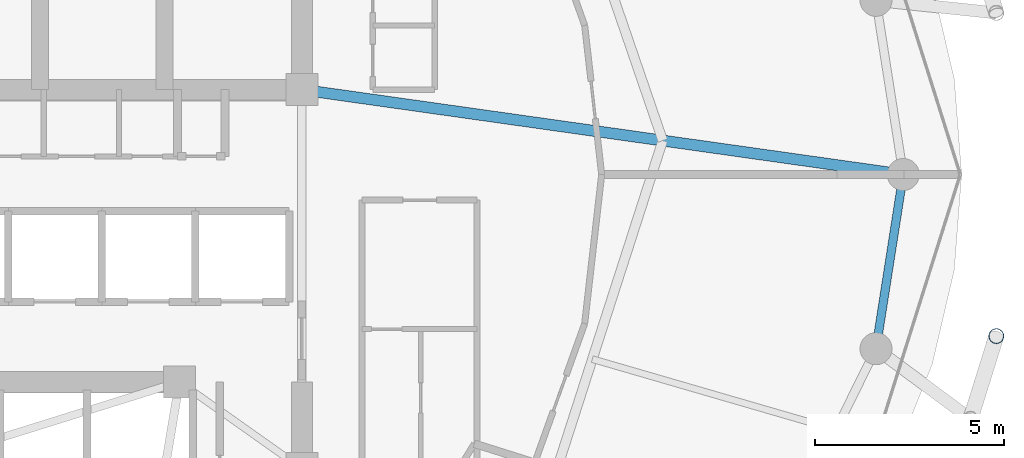
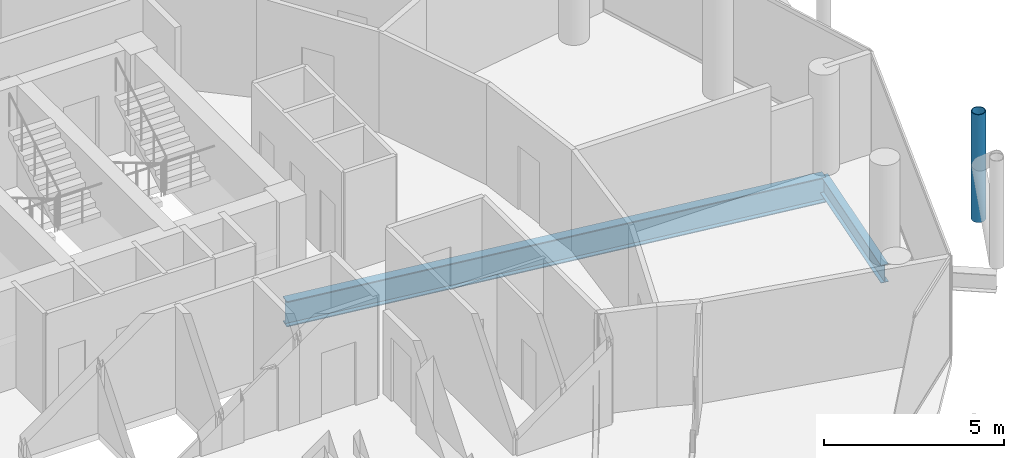
# One storey, part 14 of 27: 2 beams, 1 member.
"""IFC4 building model written with IfcOpenShell, lengths in metres."""

from ifc_helpers import new_model, si_unit, direction, frame, origin, origin_2d, place, context, subcontext, project, spatial, hollow_circle, i_section, extrude, material, material_profile, profile_set, type_object, element, save


model = new_model("IFC4")

# Units and contexts
model_context = context("Model", 3, precision=1e-05, world=origin(), true_north=direction((0.0, 1.0)))
body_context = subcontext(model_context, "Body", "Model", "MODEL_VIEW")
ifc_project = project(units=[si_unit("LENGTHUNIT", "METRE"), si_unit("AREAUNIT", "SQUARE_METRE"), si_unit("VOLUMEUNIT", "CUBIC_METRE"), si_unit("PLANEANGLEUNIT", "RADIAN"), si_unit("MASSUNIT", "GRAM", prefix="KILO")], contexts=[model_context])

# Site, building, storey
site_placement = place(None, origin())
site = spatial("IfcSite", under=ifc_project, at=site_placement, CompositionType="ELEMENT")
building_placement = place(site_placement, origin())
building = spatial("IfcBuilding", under=site, at=building_placement, Name="Nuhasar Tower", CompositionType="ELEMENT")
storey_placement = place(building_placement, frame((0.0, 0.0, 237.35009765625)))
storey = spatial("IfcBuildingStorey", under=building, at=storey_placement, Name="L58", CompositionType="ELEMENT", Elevation=237.35009765625)

# Beams
ifc_material_1 = material(Name="Steel S355", Category="steel")
ifc_material_profile_1 = material_profile(ifc_material_1, i_section(OverallWidth=0.2919921875, OverallDepth=0.85888671875, WebThickness=0.01708984375, FlangeThickness=0.031005859375, at=origin_2d()), Name="W33X169")
ifc_profile_set_1 = profile_set([ifc_material_profile_1], Name="Steel S355")
beam_type_1 = type_object("IfcBeamType", Name="BM-POD-W33X169", PredefinedType="BEAM", material=ifc_profile_set_1)
beam_1_placement = place(storey_placement, frame((44.300048828125, 29.050048828125, -0.669189453125), z_axis=(0.990196233464, -0.139683281866, 0.0), x_axis=(0.139683281866, 0.990196233464, 0.0)))
element("IfcBeam", 1, at=beam_1_placement, inside=storey, type_object=beam_type_1, Name="L58 Radial Floor Girder 04", PredefinedType="BEAM", context=body_context, shape_type="SweptSolid", body=[
    extrude(i_section(OverallWidth=0.2919921875, OverallDepth=0.85888671875, WebThickness=0.01708984375, FlangeThickness=0.031005859375, at=origin_2d()), origin(), (0.0, 0.0, 1.0), 16.10791015625),
])
ifc_material_profile_2 = material_profile(ifc_material_1, i_section(OverallWidth=0.22802734375, OverallDepth=0.60791015625, WebThickness=0.01123046875, FlangeThickness=0.017333984375, at=origin_2d()), Name="W24X76")
ifc_profile_set_2 = profile_set([ifc_material_profile_2], Name="Steel S355")
beam_type_2 = type_object("IfcBeamType", Name="BM-RING-W24X76", PredefinedType="SPANDREL", material=ifc_profile_set_2)
beam_2_placement = place(storey_placement, frame((59.52587890625, 22.179931640625, -0.544189453125), z_axis=(0.154841886404, 0.987939264436, 0.0), x_axis=(-0.987939264436, 0.154841886404, 0.0)))
element("IfcBeam", 2, at=beam_2_placement, inside=storey, type_object=beam_type_2, Name="L58 Perimeter Ring Spandrel 24", PredefinedType="SPANDREL", context=body_context, shape_type="SweptSolid", body=[
    extrude(i_section(OverallWidth=0.22802734375, OverallDepth=0.60791015625, WebThickness=0.01123046875, FlangeThickness=0.017333984375, at=origin_2d()), origin(), (0.0, 0.0, 1.0), 4.676513671875),
])

# Member
ifc_material_2 = material(Name="Steel S460", Category="steel")
ifc_material_profile_3 = material_profile(ifc_material_2, hollow_circle(Radius=0.203125, WallThickness=0.01904296875, at=origin_2d()), Name="HSS406.4X19.1")
ifc_profile_set_3 = profile_set([ifc_material_profile_3], Name="Steel S460")
member_type = type_object("IfcMemberType", Name="EXO-BRONZE-406", PredefinedType="BRACE", material=ifc_profile_set_3)
member_placement = place(storey_placement, frame((62.718017578125, 22.513916015625, 0.0), z_axis=(0.0, 0.0, 1.0), x_axis=(1.0, 0.0, 0.0)))
element("IfcMember", 3, at=member_placement, inside=storey, type_object=member_type, Name="L58 Exoskeleton Chord Column EC-12B", PredefinedType="BRACE", context=body_context, shape_type="SweptSolid", body=[
    extrude(hollow_circle(Radius=0.203125, WallThickness=0.01904296875, at=origin_2d()), origin(), (0.0, 0.0, 1.0), 3.64990234375),
])

save(model, "model.ifc")
